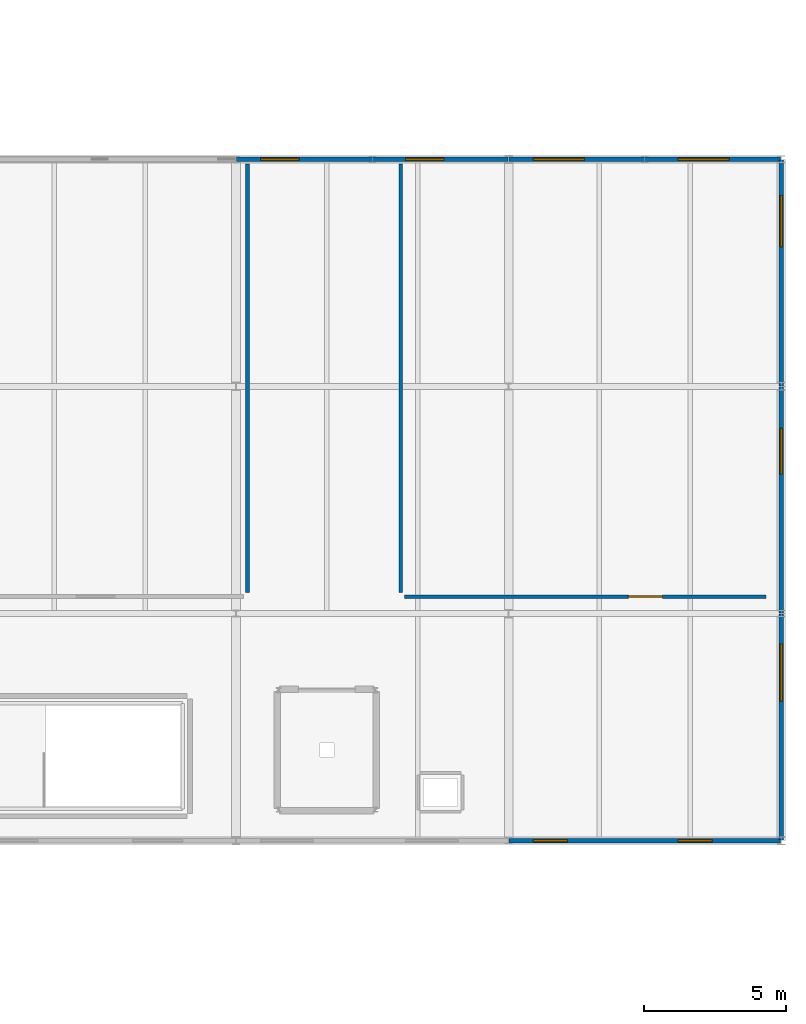
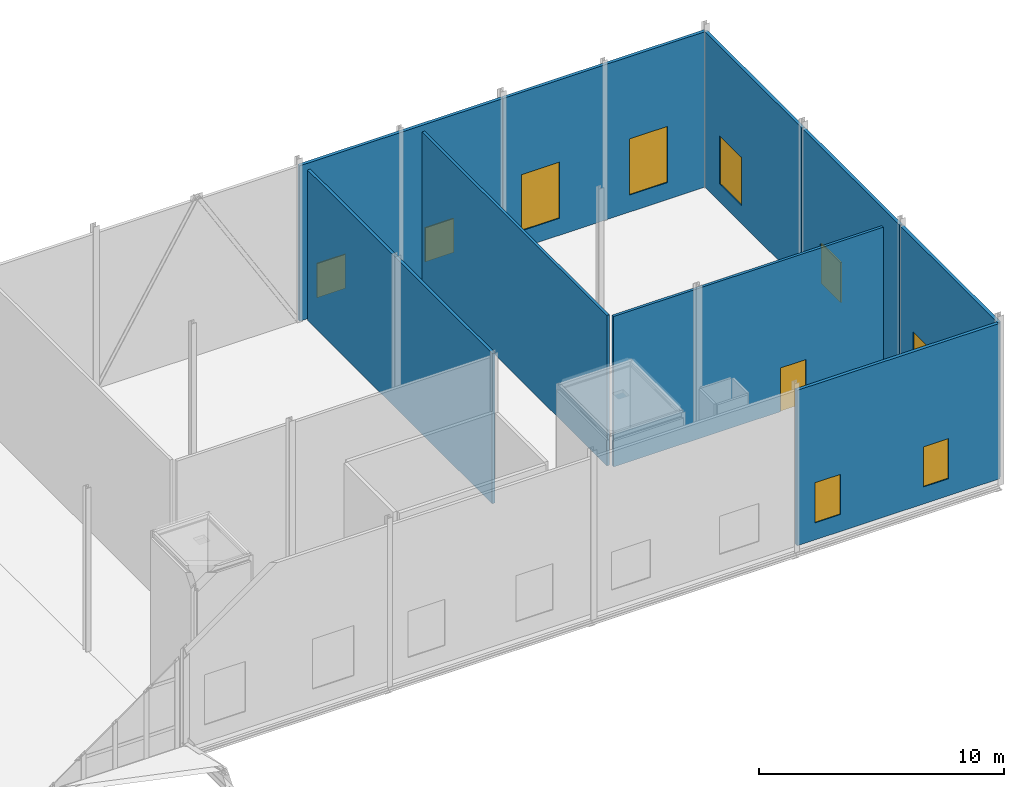
# One storey, part 68 of 73: 9 walls, 9 windows, 1 door, 10 openings.
"""IFC4 building model written with IfcOpenShell, lengths in metres."""

from ifc_helpers import new_model, si_unit, direction, frame, frame_2d, origin, place, context, subcontext, project, spatial, rectangle, extrude, material, layer, layer_set, type_object, element, fill, save


model = new_model("IFC4")

# Units and contexts
model_context = context("Model", 3, precision=1e-05, world=origin(), true_north=direction((0.0, 1.0)))
body_context = subcontext(model_context, "Body", "Model", "MODEL_VIEW")
ifc_project = project(units=[si_unit("LENGTHUNIT", "METRE"), si_unit("AREAUNIT", "SQUARE_METRE"), si_unit("VOLUMEUNIT", "CUBIC_METRE"), si_unit("PLANEANGLEUNIT", "RADIAN"), si_unit("MASSUNIT", "GRAM", prefix="KILO")], contexts=[model_context])

# Site, building, storey
site_placement = place(None, origin())
site = spatial("IfcSite", under=ifc_project, at=site_placement, CompositionType="ELEMENT")
building_placement = place(site_placement, origin())
building = spatial("IfcBuilding", under=site, at=building_placement, Name="Alderhovde Museum", CompositionType="ELEMENT")
storey_placement = place(building_placement, frame((0.0, 0.0, 17.39990234375)))
storey = spatial("IfcBuildingStorey", under=building, at=storey_placement, Name="L04", CompositionType="ELEMENT", Elevation=17.39990234375)

# Wall, openings, windows
ifc_material_1 = material(Name="Limestone Ashlar Rainscreen Wall", Category="masonry")
ifc_layer_1 = layer(ifc_material_1, 0.14990234375)
ifc_layer_set_1 = layer_set([ifc_layer_1], Name="Limestone Ashlar Rainscreen Wall")
wall_type_1 = type_object("IfcWallType", Name="EW-LIME-340", PredefinedType="SOLIDWALL", material=ifc_layer_set_1)
wall_1_placement = place(storey_placement, frame((144.02001953125, 72.0, 0.0), z_axis=(0.0, 0.0, 1.0), x_axis=(1.0, 0.0, 0.0)))
wall_1 = element("IfcWall", 1, at=wall_1_placement, inside=storey, type_object=wall_type_1, Name="L04 Conservation South Beaux-Arts Wall 251", PredefinedType="SOLIDWALL", context=body_context, shape_type="SweptSolid", body=[
    extrude(rectangle(XDim=9.56005859375, YDim=0.14990234375, at=frame_2d((4.780029296875, 0.0))), origin(), (0.0, 0.0, 1.0), 7.75),
])
opening_1_placement = place(wall_1_placement, frame((0.85009765625, 0.0, 0.85009765625)))
opening_1 = element("IfcOpeningElement", 2, at=opening_1_placement, cuts=wall_1, Name="Opening W18", PredefinedType="OPENING", context=body_context, shape_type="SweptSolid", body=[
    extrude(rectangle(XDim=1.199951171875, YDim=2.0, at=frame_2d((0.60009765625, 1.0))), frame((0.0, 0.0849609375, 0.0), z_axis=(0.0, -1.0, 0.0), x_axis=(1.0, 0.0, 0.0)), (0.0, 0.0, 1.0), 0.169921875),
])
opening_2_placement = place(wall_1_placement, frame((5.949951171875, 0.0, 0.85009765625)))
opening_2 = element("IfcOpeningElement", 3, at=opening_2_placement, cuts=wall_1, Name="Opening W18", PredefinedType="OPENING", context=body_context, shape_type="SweptSolid", body=[
    extrude(rectangle(XDim=1.199951171875, YDim=2.0, at=frame_2d((0.60009765625, 1.0))), frame((0.0, 0.0849609375, 0.0), z_axis=(0.0, -1.0, 0.0), x_axis=(1.0, 0.0, 0.0)), (0.0, 0.0, 1.0), 0.169921875),
])
ifc_material_2 = material(Name="Triple-Glazed Low-E Bronze-Anodised Aluminium", Category="aluminium")
window_type_1 = type_object("IfcWindowType", Name="WIN-LAB-1200x2000", PartitioningType="SINGLE_PANEL", PredefinedType="WINDOW", material=ifc_material_2)
window_1_placement = place(opening_1_placement, origin())
window_1 = element("IfcWindow", 4, at=window_1_placement, inside=storey, type_object=window_type_1, Name="L04 Facade Window 240", OverallHeight=2.0, OverallWidth=1.199951171875, PartitioningType="SINGLE_PANEL", PredefinedType="WINDOW", context=body_context, shape_type="SweptSolid", body=[
    extrude(rectangle(XDim=1.199951171875, YDim=2.0, at=frame_2d((0.60009765625, 1.0))), frame((0.0, 0.030029296875, 0.0), z_axis=(0.0, -1.0, 0.0), x_axis=(1.0, 0.0, 0.0)), (0.0, 0.0, 1.0), 0.06005859375),
])
fill(opening_1, window_1)
window_2_placement = place(opening_2_placement, origin())
window_2 = element("IfcWindow", 5, at=window_2_placement, inside=storey, type_object=window_type_1, Name="L04 Facade Window 241", OverallHeight=2.0, OverallWidth=1.199951171875, PartitioningType="SINGLE_PANEL", PredefinedType="WINDOW", context=body_context, shape_type="SweptSolid", body=[
    extrude(rectangle(XDim=1.199951171875, YDim=2.0, at=frame_2d((0.60009765625, 1.0))), frame((0.0, 0.030029296875, 0.0), z_axis=(0.0, -1.0, 0.0), x_axis=(1.0, 0.0, 0.0)), (0.0, 0.0, 1.0), 0.06005859375),
])
fill(opening_2, window_2)

wall_2_placement = place(storey_placement, frame((134.419921875, 96.0, 0.0), z_axis=(0.0, 0.0, 1.0), x_axis=(1.0, 0.0, 0.0)))
wall_2 = element("IfcWall", 6, at=wall_2_placement, inside=storey, type_object=wall_type_1, Name="L04 Conservation North Beaux-Arts Wall 254", PredefinedType="SOLIDWALL", context=body_context, shape_type="SweptSolid", body=[
    extrude(rectangle(XDim=9.56005859375, YDim=0.14990234375, at=frame_2d((4.780029296875, 0.0))), origin(), (0.0, 0.0, 1.0), 7.75),
])
opening_3_placement = place(wall_2_placement, frame((0.85009765625, 0.0, 0.85009765625)))
opening_3 = element("IfcOpeningElement", 7, at=opening_3_placement, cuts=wall_2, Name="Opening W28", PredefinedType="OPENING", context=body_context, shape_type="SweptSolid", body=[
    extrude(rectangle(XDim=1.35009765625, YDim=1.699951171875, at=frame_2d((0.675048828125, 0.85009765625))), frame((0.0, 0.0849609375, 0.0), z_axis=(0.0, -1.0, 0.0), x_axis=(1.0, 0.0, 0.0)), (0.0, 0.0, 1.0), 0.169921875),
])
opening_4_placement = place(wall_2_placement, frame((5.949951171875, 0.0, 0.85009765625)))
opening_4 = element("IfcOpeningElement", 8, at=opening_4_placement, cuts=wall_2, Name="Opening W28", PredefinedType="OPENING", context=body_context, shape_type="SweptSolid", body=[
    extrude(rectangle(XDim=1.35009765625, YDim=1.699951171875, at=frame_2d((0.675048828125, 0.85009765625))), frame((0.0, 0.0849609375, 0.0), z_axis=(0.0, -1.0, 0.0), x_axis=(1.0, 0.0, 0.0)), (0.0, 0.0, 1.0), 0.169921875),
])
ifc_material_3 = material(Name="Triple-Glazed Low-E Bronze-Anodised Aluminium", Category="aluminium")
window_type_2 = type_object("IfcWindowType", Name="WIN-LAB-1350x1700", PartitioningType="SINGLE_PANEL", PredefinedType="WINDOW", material=ifc_material_3)
window_3_placement = place(opening_3_placement, origin())
window_3 = element("IfcWindow", 9, at=window_3_placement, inside=storey, type_object=window_type_2, Name="L04 Facade Window 244", OverallHeight=1.699951171875, OverallWidth=1.35009765625, PartitioningType="SINGLE_PANEL", PredefinedType="WINDOW", context=body_context, shape_type="SweptSolid", body=[
    extrude(rectangle(XDim=1.35009765625, YDim=1.699951171875, at=frame_2d((0.675048828125, 0.85009765625))), frame((0.0, 0.030029296875, 0.0), z_axis=(0.0, -1.0, 0.0), x_axis=(1.0, 0.0, 0.0)), (0.0, 0.0, 1.0), 0.06005859375),
])
fill(opening_3, window_3)
window_4_placement = place(opening_4_placement, origin())
window_4 = element("IfcWindow", 10, at=window_4_placement, inside=storey, type_object=window_type_2, Name="L04 Facade Window 245", OverallHeight=1.699951171875, OverallWidth=1.35009765625, PartitioningType="SINGLE_PANEL", PredefinedType="WINDOW", context=body_context, shape_type="SweptSolid", body=[
    extrude(rectangle(XDim=1.35009765625, YDim=1.699951171875, at=frame_2d((0.675048828125, 0.85009765625))), frame((0.0, 0.030029296875, 0.0), z_axis=(0.0, -1.0, 0.0), x_axis=(1.0, 0.0, 0.0)), (0.0, 0.0, 1.0), 0.06005859375),
])
fill(opening_4, window_4)

wall_3_placement = place(storey_placement, frame((144.02001953125, 96.0, 0.0), z_axis=(0.0, 0.0, 1.0), x_axis=(1.0, 0.0, 0.0)))
wall_3 = element("IfcWall", 11, at=wall_3_placement, inside=storey, type_object=wall_type_1, Name="L04 Conservation North Beaux-Arts Wall 255", PredefinedType="SOLIDWALL", context=body_context, shape_type="SweptSolid", body=[
    extrude(rectangle(XDim=9.56005859375, YDim=0.14990234375, at=frame_2d((4.780029296875, 0.0))), origin(), (0.0, 0.0, 1.0), 7.75),
])
opening_5_placement = place(wall_3_placement, frame((0.85009765625, 0.0, 0.85009765625)))
opening_5 = element("IfcOpeningElement", 12, at=opening_5_placement, cuts=wall_3, Name="Opening W01", PredefinedType="OPENING", context=body_context, shape_type="SweptSolid", body=[
    extrude(rectangle(XDim=1.800048828125, YDim=2.800048828125, at=frame_2d((0.89990234375, 1.39990234375))), frame((0.0, 0.0849609375, 0.0), z_axis=(0.0, -1.0, 0.0), x_axis=(1.0, 0.0, 0.0)), (0.0, 0.0, 1.0), 0.169921875),
])
opening_6_placement = place(wall_3_placement, frame((5.949951171875, 0.0, 0.85009765625)))
opening_6 = element("IfcOpeningElement", 13, at=opening_6_placement, cuts=wall_3, Name="Opening W01", PredefinedType="OPENING", context=body_context, shape_type="SweptSolid", body=[
    extrude(rectangle(XDim=1.800048828125, YDim=2.800048828125, at=frame_2d((0.89990234375, 1.39990234375))), frame((0.0, 0.0849609375, 0.0), z_axis=(0.0, -1.0, 0.0), x_axis=(1.0, 0.0, 0.0)), (0.0, 0.0, 1.0), 0.169921875),
])
ifc_material_4 = material(Name="Triple-Glazed Low-E Bronze-Anodised Aluminium", Category="aluminium")
window_type_3 = type_object("IfcWindowType", Name="WIN-BA-1800x2800", PartitioningType="DOUBLE_PANEL_VERTICAL", PredefinedType="WINDOW", material=ifc_material_4)
window_5_placement = place(opening_5_placement, origin())
window_5 = element("IfcWindow", 14, at=window_5_placement, inside=storey, type_object=window_type_3, Name="L04 Facade Window 246", OverallHeight=2.800048828125, OverallWidth=1.800048828125, PartitioningType="SINGLE_PANEL", PredefinedType="WINDOW", context=body_context, shape_type="SweptSolid", body=[
    extrude(rectangle(XDim=1.800048828125, YDim=2.800048828125, at=frame_2d((0.89990234375, 1.39990234375))), frame((0.0, 0.030029296875, 0.0), z_axis=(0.0, -1.0, 0.0), x_axis=(1.0, 0.0, 0.0)), (0.0, 0.0, 1.0), 0.06005859375),
])
fill(opening_5, window_5)
window_6_placement = place(opening_6_placement, origin())
window_6 = element("IfcWindow", 15, at=window_6_placement, inside=storey, type_object=window_type_3, Name="L04 Facade Window 247", OverallHeight=2.800048828125, OverallWidth=1.800048828125, PartitioningType="SINGLE_PANEL", PredefinedType="WINDOW", context=body_context, shape_type="SweptSolid", body=[
    extrude(rectangle(XDim=1.800048828125, YDim=2.800048828125, at=frame_2d((0.89990234375, 1.39990234375))), frame((0.0, 0.030029296875, 0.0), z_axis=(0.0, -1.0, 0.0), x_axis=(1.0, 0.0, 0.0)), (0.0, 0.0, 1.0), 0.06005859375),
])
fill(opening_6, window_6)

# Wall, opening, window
wall_4_placement = place(storey_placement, frame((153.60009765625, 72.02001953125, 0.0), z_axis=(0.0, 0.0, 1.0), x_axis=(0.0, 1.0, 0.0)))
wall_4 = element("IfcWall", 16, at=wall_4_placement, inside=storey, type_object=wall_type_1, Name="L04 Conservation East Hillside Wall 256", PredefinedType="SOLIDWALL", context=body_context, shape_type="SweptSolid", body=[
    extrude(rectangle(XDim=7.9599609375, YDim=0.14990234375, at=frame_2d((3.97998046875, 0.0))), origin(), (0.0, 0.0, 1.0), 7.75),
])
opening_7_placement = place(wall_4_placement, frame((4.89990234375, 0.0, 0.89990234375)))
opening_7 = element("IfcOpeningElement", 17, at=opening_7_placement, cuts=wall_4, Name="Opening W16", PredefinedType="OPENING", context=body_context, shape_type="SweptSolid", body=[
    extrude(rectangle(XDim=2.0, YDim=2.199951171875, at=frame_2d((1.0, 1.10009765625))), frame((0.0, 0.0849609375, 0.0), z_axis=(0.0, -1.0, 0.0), x_axis=(1.0, 0.0, 0.0)), (0.0, 0.0, 1.0), 0.169921875),
])
ifc_material_5 = material(Name="Triple-Glazed Low-E Bronze-Anodised Aluminium", Category="aluminium")
window_type_4 = type_object("IfcWindowType", Name="WIN-LAB-2000x2200", PartitioningType="DOUBLE_PANEL_VERTICAL", PredefinedType="WINDOW", material=ifc_material_5)
window_7_placement = place(opening_7_placement, origin())
window_7 = element("IfcWindow", 18, at=window_7_placement, inside=storey, type_object=window_type_4, Name="L04 Facade Window 248", OverallHeight=2.199951171875, OverallWidth=2.0, PartitioningType="SINGLE_PANEL", PredefinedType="WINDOW", context=body_context, shape_type="SweptSolid", body=[
    extrude(rectangle(XDim=2.0, YDim=2.199951171875, at=frame_2d((1.0, 1.10009765625))), frame((0.0, 0.030029296875, 0.0), z_axis=(0.0, -1.0, 0.0), x_axis=(1.0, 0.0, 0.0)), (0.0, 0.0, 1.0), 0.06005859375),
])
fill(opening_7, window_7)

wall_5_placement = place(storey_placement, frame((153.60009765625, 80.02001953125, 0.0), z_axis=(0.0, 0.0, 1.0), x_axis=(0.0, 1.0, 0.0)))
wall_5 = element("IfcWall", 19, at=wall_5_placement, inside=storey, type_object=wall_type_1, Name="L04 Conservation East Hillside Wall 257", PredefinedType="SOLIDWALL", context=body_context, shape_type="SweptSolid", body=[
    extrude(rectangle(XDim=7.9599609375, YDim=0.14990234375, at=frame_2d((3.97998046875, 0.0))), origin(), (0.0, 0.0, 1.0), 7.75),
])
opening_8_placement = place(wall_5_placement, frame((4.89990234375, 0.0, 0.89990234375)))
opening_8 = element("IfcOpeningElement", 20, at=opening_8_placement, cuts=wall_5, Name="Opening W17", PredefinedType="OPENING", context=body_context, shape_type="SweptSolid", body=[
    extrude(rectangle(XDim=1.60009765625, YDim=2.0, at=frame_2d((0.800048828125, 1.0))), frame((0.0, 0.0849609375, 0.0), z_axis=(0.0, -1.0, 0.0), x_axis=(1.0, 0.0, 0.0)), (0.0, 0.0, 1.0), 0.169921875),
])
ifc_material_6 = material(Name="Triple-Glazed Low-E Bronze-Anodised Aluminium", Category="aluminium")
window_type_5 = type_object("IfcWindowType", Name="WIN-LAB-1600x2000", PartitioningType="DOUBLE_PANEL_VERTICAL", PredefinedType="WINDOW", material=ifc_material_6)
window_8_placement = place(opening_8_placement, origin())
window_8 = element("IfcWindow", 21, at=window_8_placement, inside=storey, type_object=window_type_5, Name="L04 Facade Window 249", OverallHeight=2.0, OverallWidth=1.60009765625, PartitioningType="SINGLE_PANEL", PredefinedType="WINDOW", context=body_context, shape_type="SweptSolid", body=[
    extrude(rectangle(XDim=1.60009765625, YDim=2.0, at=frame_2d((0.800048828125, 1.0))), frame((0.0, 0.030029296875, 0.0), z_axis=(0.0, -1.0, 0.0), x_axis=(1.0, 0.0, 0.0)), (0.0, 0.0, 1.0), 0.06005859375),
])
fill(opening_8, window_8)

wall_6_placement = place(storey_placement, frame((153.60009765625, 88.02001953125, 0.0), z_axis=(0.0, 0.0, 1.0), x_axis=(0.0, 1.0, 0.0)))
wall_6 = element("IfcWall", 22, at=wall_6_placement, inside=storey, type_object=wall_type_1, Name="L04 Conservation East Hillside Wall 258", PredefinedType="SOLIDWALL", context=body_context, shape_type="SweptSolid", body=[
    extrude(rectangle(XDim=7.9599609375, YDim=0.14990234375, at=frame_2d((3.97998046875, 0.0))), origin(), (0.0, 0.0, 1.0), 7.75),
])
opening_9_placement = place(wall_6_placement, frame((4.89990234375, 0.0, 0.89990234375)))
opening_9 = element("IfcOpeningElement", 23, at=opening_9_placement, cuts=wall_6, Name="Opening W05", PredefinedType="OPENING", context=body_context, shape_type="SweptSolid", body=[
    extrude(rectangle(XDim=1.800048828125, YDim=2.39990234375, at=frame_2d((0.89990234375, 1.199951171875))), frame((0.0, 0.0849609375, 0.0), z_axis=(0.0, -1.0, 0.0), x_axis=(1.0, 0.0, 0.0)), (0.0, 0.0, 1.0), 0.169921875),
])
ifc_material_7 = material(Name="Triple-Glazed Low-E Bronze-Anodised Aluminium", Category="aluminium")
window_type_6 = type_object("IfcWindowType", Name="WIN-BA-1800x2400", PartitioningType="DOUBLE_PANEL_VERTICAL", PredefinedType="WINDOW", material=ifc_material_7)
window_9_placement = place(opening_9_placement, origin())
window_9 = element("IfcWindow", 24, at=window_9_placement, inside=storey, type_object=window_type_6, Name="L04 Facade Window 250", OverallHeight=2.39990234375, OverallWidth=1.800048828125, PartitioningType="SINGLE_PANEL", PredefinedType="WINDOW", context=body_context, shape_type="SweptSolid", body=[
    extrude(rectangle(XDim=1.800048828125, YDim=2.39990234375, at=frame_2d((0.89990234375, 1.199951171875))), frame((0.0, 0.030029296875, 0.0), z_axis=(0.0, -1.0, 0.0), x_axis=(1.0, 0.0, 0.0)), (0.0, 0.0, 1.0), 0.06005859375),
])
fill(opening_9, window_9)

# Wall
ifc_material_8 = material(Name="Hygienic Conservation Laboratory Partition")
ifc_layer_2 = layer(ifc_material_8, 0.139892578125)
ifc_layer_set_2 = layer_set([ifc_layer_2], Name="Hygienic Conservation Laboratory Partition")
wall_type_2 = type_object("IfcWallType", Name="IW-LAB-140", PredefinedType="PARTITIONING", material=ifc_layer_set_2)
wall_7_placement = place(storey_placement, frame((134.800048828125, 80.739990234375, 0.0), z_axis=(0.0, 0.0, 1.0), x_axis=(0.0, 1.0, 0.0)))
element("IfcWall", 25, at=wall_7_placement, inside=storey, type_object=wall_type_2, Name="L04 Optical Conservation Laboratory Partition Wall E", PredefinedType="PARTITIONING", context=body_context, shape_type="SweptSolid", body=[
    extrude(rectangle(XDim=15.090087890625, YDim=0.139892578125, at=frame_2d((7.544921875, 0.0))), origin(), (0.0, 0.0, 1.0), 7.5),
])

# Wall, opening, door
ifc_material_9 = material(Name="Insulated Metal-Stud Room Partition")
ifc_layer_3 = layer(ifc_material_9, 0.125)
ifc_layer_set_3 = layer_set([ifc_layer_3], Name="Insulated Metal-Stud Room Partition")
wall_type_3 = type_object("IfcWallType", Name="IW-PART-125", PredefinedType="PARTITIONING", material=ifc_layer_set_3)
wall_8_placement = place(storey_placement, frame((140.340087890625, 80.60009765625, 0.0), z_axis=(0.0, 0.0, 1.0), x_axis=(1.0, 0.0, 0.0)))
wall_8 = element("IfcWall", 26, at=wall_8_placement, inside=storey, type_object=wall_type_3, Name="L04 Herbarium and Botanical Cabinet Partition Wall S", PredefinedType="PARTITIONING", context=body_context, shape_type="SweptSolid", body=[
    extrude(rectangle(XDim=12.719970703125, YDim=0.125, at=frame_2d((6.35986328125, 0.0))), origin(), (0.0, 0.0, 1.0), 7.5),
])
opening_10_placement = place(wall_8_placement, frame((7.8759765625, 0.0, 0.0)))
opening_10 = element("IfcOpeningElement", 27, at=opening_10_placement, cuts=wall_8, Name="Opening D15", PredefinedType="OPENING", context=body_context, shape_type="SweptSolid", body=[
    extrude(rectangle(XDim=1.199951171875, YDim=2.179931640625, at=frame_2d((0.60009765625, 1.08984375))), frame((0.0, 0.072509765625, 0.0), z_axis=(0.0, -1.0, 0.0), x_axis=(1.0, 0.0, 0.0)), (0.0, 0.0, 1.0), 0.14501953125),
])
ifc_material_10 = material(Name="Botanical Cabinet Oak Door (Steel/Oak)", Category="steel")
door_type = type_object("IfcDoorType", Name="ID-BOT-1200x2180", OperationType="NOTDEFINED", PredefinedType="DOOR", material=ifc_material_10)
door_placement = place(opening_10_placement, origin())
door = element("IfcDoor", 28, at=door_placement, inside=storey, type_object=door_type, Name="L04 Herbarium and Botanical Cabinet Door", OperationType="SINGLE_SWING_LEFT", OverallHeight=2.179931640625, OverallWidth=1.199951171875, PredefinedType="DOOR", context=body_context, shape_type="SweptSolid", body=[
    extrude(rectangle(XDim=1.199951171875, YDim=2.179931640625, at=frame_2d((0.60009765625, 1.08984375))), frame((0.0, 0.02490234375, 0.0), z_axis=(0.0, -1.0, 0.0), x_axis=(1.0, 0.0, 0.0)), (0.0, 0.0, 1.0), 0.050048828125),
])
fill(opening_10, door)

# Wall
wall_9_placement = place(storey_placement, frame((140.199951171875, 80.739990234375, 0.0), z_axis=(0.0, 0.0, 1.0), x_axis=(0.0, 1.0, 0.0)))
element("IfcWall", 29, at=wall_9_placement, inside=storey, type_object=wall_type_3, Name="L04 Herbarium and Botanical Cabinet Partition Wall W", PredefinedType="PARTITIONING", context=body_context, shape_type="SweptSolid", body=[
    extrude(rectangle(XDim=15.090087890625, YDim=0.125, at=frame_2d((7.544921875, 0.0))), origin(), (0.0, 0.0, 1.0), 7.5),
])

save(model, "model.ifc")
